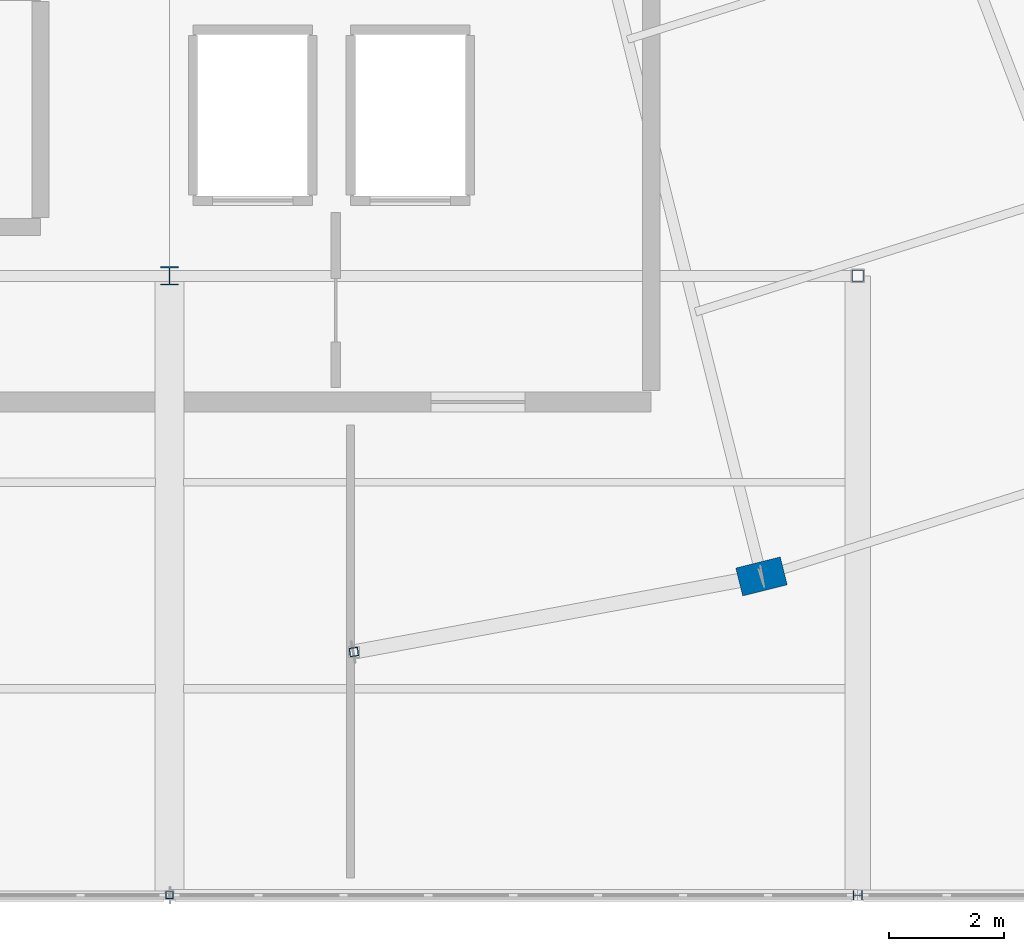
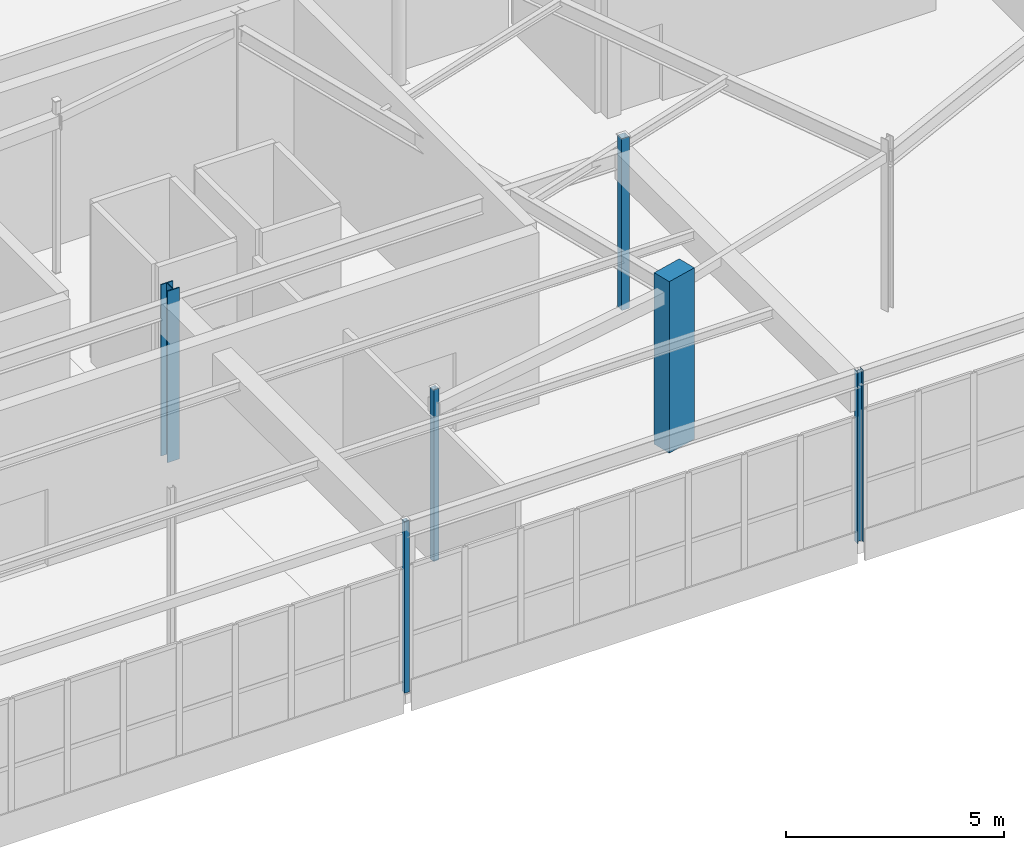
# One storey, part 9 of 186: 6 columns.
"""IFC4 building model written with IfcOpenShell, lengths in metres."""

from ifc_helpers import new_model, si_unit, direction, frame, origin, origin_2d, place, context, subcontext, project, spatial, rectangle, hollow_rectangle, i_section, extrude, material, material_profile, profile_set, type_object, element, save


model = new_model("IFC4")

# Units and contexts
model_context = context("Model", 3, precision=1e-05, world=origin(), true_north=direction((0.0, 1.0)))
body_context = subcontext(model_context, "Body", "Model", "MODEL_VIEW")
ifc_project = project(units=[si_unit("LENGTHUNIT", "METRE"), si_unit("AREAUNIT", "SQUARE_METRE"), si_unit("VOLUMEUNIT", "CUBIC_METRE"), si_unit("PLANEANGLEUNIT", "RADIAN"), si_unit("MASSUNIT", "GRAM", prefix="KILO")], contexts=[model_context])

# Site, building, storey
site_placement = place(None, origin())
site = spatial("IfcSite", under=ifc_project, at=site_placement, CompositionType="ELEMENT")
building_placement = place(site_placement, origin())
building = spatial("IfcBuilding", under=site, at=building_placement, Name="Tarnwether General Hospital", CompositionType="ELEMENT")
storey_placement = place(building_placement, frame((0.0, 0.0, 9.60009765625)))
storey = spatial("IfcBuildingStorey", under=building, at=storey_placement, Name="L02", CompositionType="ELEMENT", Elevation=9.60009765625)

# Columns
ifc_material_1 = material(Name="Steel Grade 350 (350 MPa)", Category="steel")
ifc_material_profile_1 = material_profile(ifc_material_1, i_section(OverallWidth=0.31103515625, OverallDepth=0.326904296875, WebThickness=0.015625, FlangeThickness=0.02490234375, at=origin_2d()), Name="310UC158")
ifc_profile_set_1 = profile_set([ifc_material_profile_1], Name="Steel Grade 350 (350 MPa)")
column_type_1 = type_object("IfcColumnType", Name="COL-05", PredefinedType="COLUMN", material=ifc_profile_set_1)
column_1_placement = place(storey_placement, frame((96.0, 10.800048828125, 0.0), z_axis=(0.0, 0.0, 1.0), x_axis=(1.0, 0.0, 0.0)))
element("IfcColumn", 1, at=column_1_placement, inside=storey, type_object=column_type_1, Name="Column COLG-L02-9600_1080", PredefinedType="COLUMN", context=body_context, shape_type="SweptSolid", body=[
    extrude(i_section(OverallWidth=0.31103515625, OverallDepth=0.326904296875, WebThickness=0.015625, FlangeThickness=0.02490234375, at=origin_2d()), origin(), (0.0, 0.0, 1.0), 4.7998046875),
])
ifc_material_2 = material(Name="Steel Grade C350L0 (350 MPa)", Category="steel")
ifc_material_profile_2 = material_profile(ifc_material_2, hollow_rectangle(XDim=0.199951171875, YDim=0.199951171875, WallThickness=0.010009765625, at=origin_2d()), Name="SHS200x200x10")
ifc_profile_set_2 = profile_set([ifc_material_profile_2], Name="Steel Grade C350L0 (350 MPa)")
column_type_2 = type_object("IfcColumnType", Name="COL-15", PredefinedType="COLUMN", material=ifc_profile_set_2)
column_2_placement = place(storey_placement, frame((108.0, 10.800048828125, 0.0), z_axis=(0.0, 0.0, 1.0), x_axis=(0.0, 1.0, 0.0)))
element("IfcColumn", 2, at=column_2_placement, inside=storey, type_object=column_type_2, Name="Column COLG-L02-10800_1080", PredefinedType="COLUMN", context=body_context, shape_type="SweptSolid", body=[
    extrude(hollow_rectangle(XDim=0.199951171875, YDim=0.199951171875, WallThickness=0.010009765625, at=origin_2d()), origin(), (0.0, 0.0, 1.0), 4.7998046875),
])
ifc_material_3 = material(Name="Concrete 50 MPa", Category="concrete")
ifc_material_profile_3 = material_profile(ifc_material_3, rectangle(XDim=0.5, YDim=0.800048828125, at=origin_2d()), Name="RC-PIL-500x800")
ifc_profile_set_3 = profile_set([ifc_material_profile_3], Name="Concrete 50 MPa")
column_type_3 = type_object("IfcColumnType", Name="COL-23", PredefinedType="PILASTER", material=ifc_profile_set_3)
column_3_placement = place(storey_placement, frame((106.322021484375, 5.55810546875, 0.0), z_axis=(0.0, 0.0, 1.0), x_axis=(-0.2419218956, 0.970295726276, 0.0)))
element("IfcColumn", 3, at=column_3_placement, inside=storey, type_object=column_type_3, Name="Column COLG-L02-10632_556", PredefinedType="PILASTER", context=body_context, shape_type="SweptSolid", body=[
    extrude(rectangle(XDim=0.5, YDim=0.800048828125, at=origin_2d()), origin(), (0.0, 0.0, 1.0), 4.7998046875),
])
ifc_material_4 = material(Name="Steel Grade 350 (350 MPa)", Category="steel")
ifc_material_profile_4 = material_profile(ifc_material_4, i_section(OverallWidth=0.152099609375, OverallDepth=0.152099609375, WebThickness=0.006103515625, FlangeThickness=0.0068359375, at=origin_2d()), Name="150UC23.4")
ifc_profile_set_4 = profile_set([ifc_material_profile_4], Name="Steel Grade 350 (350 MPa)")
column_type_4 = type_object("IfcColumnType", Name="COL-32", PredefinedType="COLUMN", material=ifc_profile_set_4)
column_4_placement = place(storey_placement, frame((108.0, 0.0, 0.0), z_axis=(0.0, 0.0, 1.0), x_axis=(0.0, 1.0, 0.0)))
element("IfcColumn", 4, at=column_4_placement, inside=storey, type_object=column_type_4, Name="Column COLG-L02-10800_0", PredefinedType="COLUMN", context=body_context, shape_type="SweptSolid", body=[
    extrude(i_section(OverallWidth=0.152099609375, OverallDepth=0.152099609375, WebThickness=0.006103515625, FlangeThickness=0.0068359375, at=origin_2d()), origin(), (0.0, 0.0, 1.0), 4.7998046875),
])
ifc_material_5 = material(Name="Steel Grade C350L0 (350 MPa)", Category="steel")
ifc_material_profile_5 = material_profile(ifc_material_5, hollow_rectangle(XDim=0.14990234375, YDim=0.14990234375, WallThickness=0.008056640625, at=origin_2d()), Name="SHS150x150x8")
ifc_profile_set_5 = profile_set([ifc_material_profile_5], Name="Steel Grade C350L0 (350 MPa)")
column_type_5 = type_object("IfcColumnType", Name="COL-33", PredefinedType="COLUMN", material=ifc_profile_set_5)
column_5_placement = place(storey_placement, frame((99.215087890625, 4.240966796875, 0.0), z_axis=(0.0, 0.0, 1.0), x_axis=(-0.121869343405, 0.992546151641, 0.0)))
element("IfcColumn", 5, at=column_5_placement, inside=storey, type_object=column_type_5, Name="Column COLG-L02-9922_424", PredefinedType="COLUMN", context=body_context, shape_type="SweptSolid", body=[
    extrude(hollow_rectangle(XDim=0.14990234375, YDim=0.14990234375, WallThickness=0.008056640625, at=origin_2d()), origin(), (0.0, 0.0, 1.0), 4.7998046875),
])
ifc_material_6 = material(Name="Steel Grade C350L0 (350 MPa)", Category="steel")
ifc_material_profile_6 = material_profile(ifc_material_6, hollow_rectangle(XDim=0.125, YDim=0.125, WallThickness=0.006103515625, at=origin_2d()), Name="SHS125x125x6")
ifc_profile_set_6 = profile_set([ifc_material_profile_6], Name="Steel Grade C350L0 (350 MPa)")
column_type_6 = type_object("IfcColumnType", Name="COL-34", PredefinedType="COLUMN", material=ifc_profile_set_6)
column_6_placement = place(storey_placement, frame((96.0, 0.0, 0.0), z_axis=(0.0, 0.0, 1.0), x_axis=(1.0, 0.0, 0.0)))
element("IfcColumn", 6, at=column_6_placement, inside=storey, type_object=column_type_6, Name="Column COLG-L02-9600_0", PredefinedType="COLUMN", context=body_context, shape_type="SweptSolid", body=[
    extrude(hollow_rectangle(XDim=0.125, YDim=0.125, WallThickness=0.006103515625, at=origin_2d()), origin(), (0.0, 0.0, 1.0), 4.7998046875),
])

save(model, "model.ifc")
